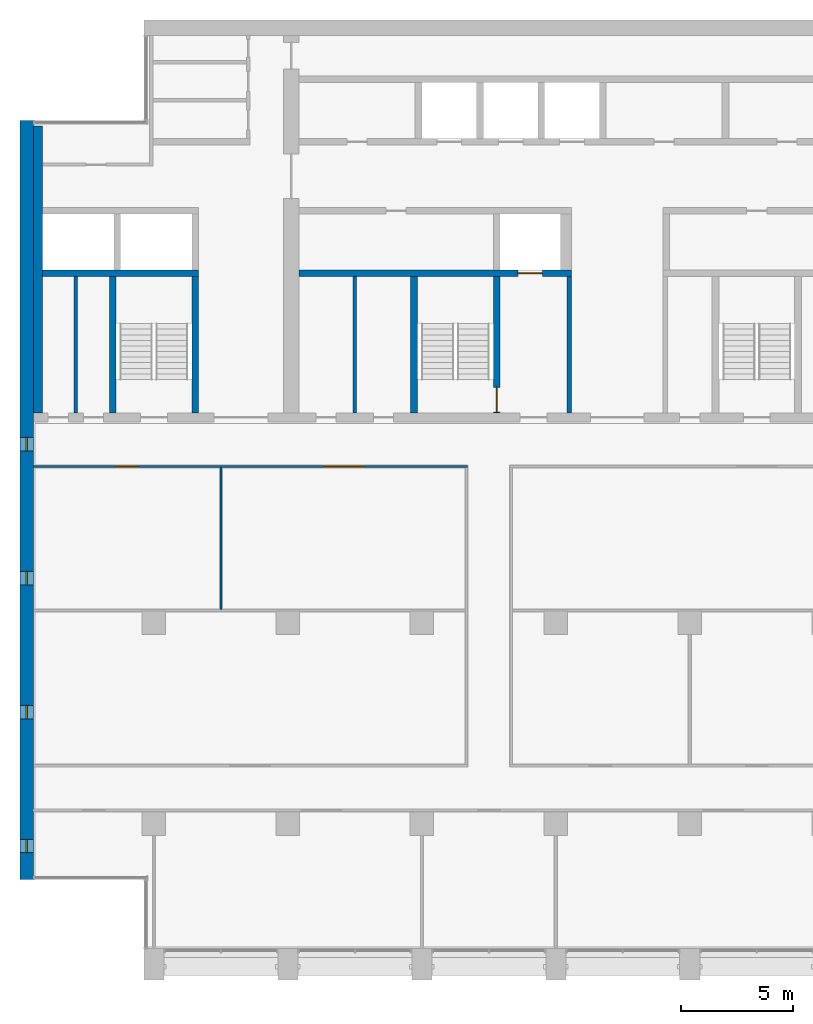
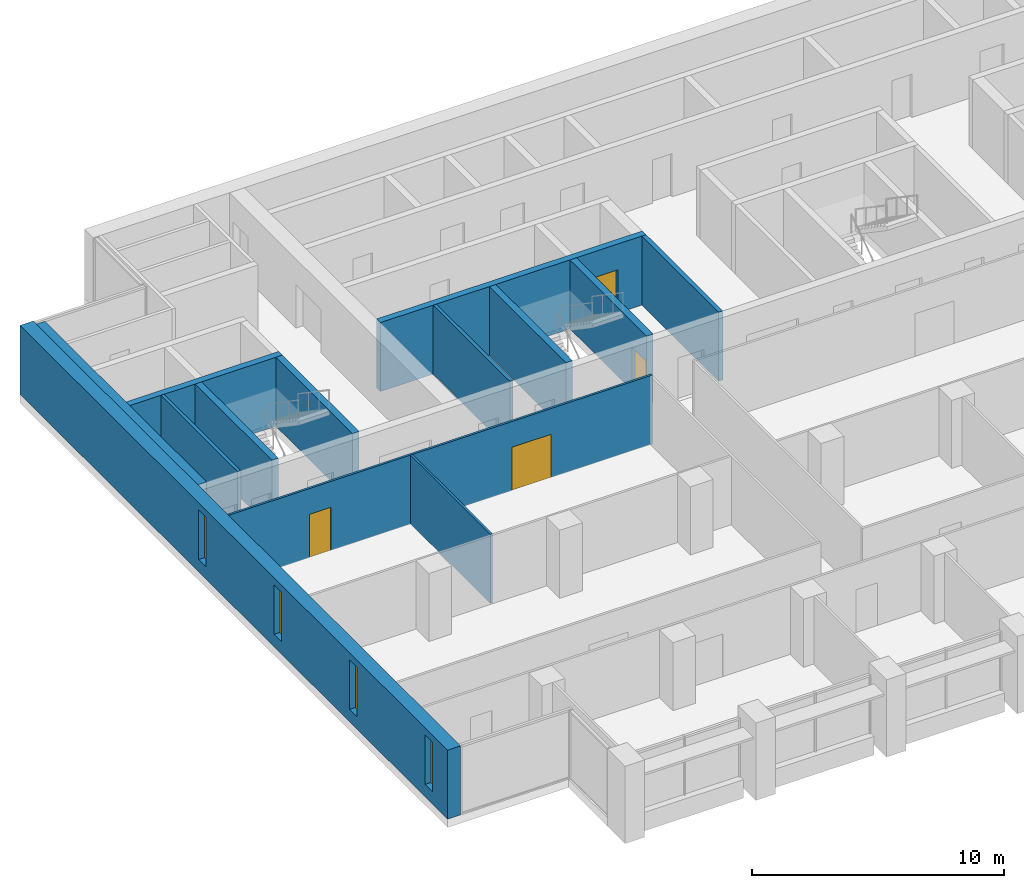
# One storey, part 8 of 17: 13 walls, 4 doors, 4 windows, 8 openings.
"""IFC4 building model written with IfcOpenShell, lengths in metres."""

import ifcopenshell
import ifcopenshell.guid

model = None  # the IFC model being written
_history = None  # IfcOwnerHistory: only IFC2X3 demands one
_inside = {}  # id of a spatial element -> (the spatial element, [elements in it])
_under = {}  # id of a project, library or spatial element -> (it, [spatial elements below it])
_declared = {}  # id of a project -> (the project, [libraries it declares])
_typed = {}  # id of a type object -> (the type object, [elements of that type])
_made_of = {}  # id of a material, layer set ... -> (it, [elements and type objects made of it])


def new_model(schema):
    """Start an empty IFC model of exactly this schema.

    Asked for "IFC4X3", IfcOpenShell would pick the latest addendum, in which some entities
    have other attributes; the version numbers below select the first issue.
    IFC2X3 requires an IfcOwnerHistory on every rooted entity: one is made here for all.
    """
    global model, _history
    if schema == "IFC4X3":
        model = ifcopenshell.file(schema_version=(4, 3, 0, 0))
    else:
        model = ifcopenshell.file(schema=schema)
    _inside.clear()
    _under.clear()
    _declared.clear()
    _typed.clear()
    _made_of.clear()
    _history = None
    if model.schema == "IFC2X3":
        org = make("IfcOrganization", Name="unknown")
        user = make(
            "IfcPersonAndOrganization",
            ThePerson=make("IfcPerson", FamilyName="unknown"),
            TheOrganization=org,
        )
        app = make(
            "IfcApplication",
            ApplicationDeveloper=org,
            Version="unknown",
            ApplicationFullName="unknown",
            ApplicationIdentifier="unknown",
        )
        _history = make(
            "IfcOwnerHistory",
            OwningUser=user,
            OwningApplication=app,
            ChangeAction="ADDED",
            CreationDate=0,
        )
    return model


def make(cls, **values):
    """One entity of the class cls with the attributes given. An attribute that is None is left unset."""
    return model.create_entity(
        cls, **{name: value for name, value in values.items() if value is not None}
    )


def rooted(cls, **values):
    """An entity with a GlobalId (a new one), such as an element, a storey or a relation."""
    return make(cls, GlobalId=ifcopenshell.guid.new(), OwnerHistory=_history, **values)


def si_unit(unit_type, name, prefix=None):
    """IfcSIUnit, for example si_unit("LENGTHUNIT", "METRE", prefix="MILLI")."""
    return make("IfcSIUnit", UnitType=unit_type, Prefix=prefix, Name=name)


def assignment(units):
    """IfcUnitAssignment: the units of a project."""
    return None if units is None else make("IfcUnitAssignment", Units=units)


def point(xyz):
    """IfcCartesianPoint."""
    return None if xyz is None else make("IfcCartesianPoint", Coordinates=xyz)


def direction(xyz):
    """IfcDirection."""
    return None if xyz is None else make("IfcDirection", DirectionRatios=xyz)


def frame(location, z_axis=None, x_axis=None):
    """IfcAxis2Placement3D, a coordinate frame: its origin and axes. An axis left out is left unset."""
    return make(
        "IfcAxis2Placement3D",
        Location=point(location),
        Axis=direction(z_axis),
        RefDirection=direction(x_axis),
    )


def frame_2d(location, x_axis=None):
    """IfcAxis2Placement2D, a coordinate frame in the plane: its origin and x axis."""
    return make(
        "IfcAxis2Placement2D", Location=point(location), RefDirection=direction(x_axis)
    )


def origin():
    """The frame at (0, 0, 0) with its axes left unset."""
    return frame((0.0, 0.0, 0.0))


def place(relative_to, where):
    """IfcLocalPlacement: puts the frame where relative to a parent placement (None: the world)."""
    return make(
        "IfcLocalPlacement", PlacementRelTo=relative_to, RelativePlacement=where
    )


def context(
    kind, dimensions, precision=None, world=None, true_north=None, identifier=None
):
    """IfcGeometricRepresentationContext, for example the 3D "Model" context."""
    return make(
        "IfcGeometricRepresentationContext",
        ContextIdentifier=identifier,
        ContextType=kind,
        CoordinateSpaceDimension=dimensions,
        Precision=precision,
        WorldCoordinateSystem=world,
        TrueNorth=true_north,
    )


def subcontext(parent, identifier, kind, view, scale=None):
    """IfcGeometricRepresentationSubContext, for example "Body" below "Model"."""
    return make(
        "IfcGeometricRepresentationSubContext",
        ContextIdentifier=identifier,
        ContextType=kind,
        ParentContext=parent,
        TargetScale=scale,
        TargetView=view,
    )


def project(units=None, contexts=None):
    """IfcProject with its units and contexts."""
    return rooted(
        "IfcProject",
        Name="project",
        RepresentationContexts=contexts,
        UnitsInContext=assignment(units),
    )


def spatial(cls, under=None, at=None, **own):
    """A site, building, storey or space (cls), placed at a placement, below another one or the project."""
    s = rooted(cls, ObjectPlacement=at, **own)
    if under is not None:
        _under.setdefault(under.id(), (under, []))[1].append(s)
    return s


def profile(cls, at=None, kind="AREA", **sizes):
    """A parametric profile (cls). Its sizes go by their IFC names, for example OverallWidth=200.0."""
    return make(cls, ProfileType=kind, Position=at, **sizes)


def rectangle(**sizes):
    """IfcRectangleProfileDef."""
    return profile("IfcRectangleProfileDef", **sizes)


def extrude(swept, where, along, depth):
    """IfcExtrudedAreaSolid: the profile swept, set in the frame where, extruded along a direction by depth."""
    return make(
        "IfcExtrudedAreaSolid",
        SweptArea=swept,
        Position=where,
        ExtrudedDirection=direction(along),
        Depth=depth,
    )


def shape(context_of_items, identifier, shape_type, items):
    """IfcShapeRepresentation: the items that make up one representation, for example the "Body"."""
    return make(
        "IfcShapeRepresentation",
        ContextOfItems=context_of_items,
        RepresentationIdentifier=identifier,
        RepresentationType=shape_type,
        Items=items,
    )


def material(Name=None, Category=None):
    """IfcMaterial."""
    return make("IfcMaterial", Name=Name, Category=Category)


def layer(
    of_material, thickness, ventilated=None, Name=None, Category=None, Priority=None
):
    """IfcMaterialLayer: one layer of a wall or slab, of a material (None: an air gap)."""
    return make(
        "IfcMaterialLayer",
        Material=of_material,
        LayerThickness=thickness,
        IsVentilated=ventilated,
        Name=Name,
        Category=Category,
        Priority=Priority,
    )


def layer_set(layers, Name=None):
    """IfcMaterialLayerSet."""
    return make("IfcMaterialLayerSet", MaterialLayers=layers, LayerSetName=Name)


def made_of(thing, what):
    """Note that an element or type object is made of a material, layer set ...; save() writes the relation."""
    if what is not None:
        _made_of.setdefault(what.id(), (what, []))[1].append(thing)
    return thing


def type_object(cls, material=None, **own):
    """A type object (cls), such as IfcWallType, which elements share."""
    return made_of(rooted(cls, **own), material)


def element(
    cls,
    number,
    at=None,
    inside=None,
    cuts=None,
    type_object=None,
    material=None,
    context=None,
    identifier="Body",
    shape_type=None,
    held_by="IfcProductDefinitionShape",
    body=None,
    shapes=None,
    **own,
):
    """One element of the class cls, such as IfcWall. Its Tag is "e" and its number.

    at: its placement. inside: the storey or other place that contains it. cuts: it is an
    opening in that element (IfcRelVoidsElement). A single representation is given by context,
    identifier, shape_type and body (its items); several are given by shapes. held_by: the class
    of the entity that holds the representations. save() writes the other relations.
    """
    e = rooted(cls, Tag="e%d" % number, ObjectPlacement=at, **own)
    if body is not None:
        shapes = [shape(context, identifier, shape_type, body)]
    if shapes is not None:
        e.Representation = make(held_by, Representations=shapes)
    if inside is not None:
        _inside.setdefault(inside.id(), (inside, []))[1].append(e)
    if cuts is not None:
        rooted(
            "IfcRelVoidsElement", RelatingBuildingElement=cuts, RelatedOpeningElement=e
        )
    if type_object is not None:
        _typed.setdefault(type_object.id(), (type_object, []))[1].append(e)
    return made_of(e, material)


def fill(opening, filler):
    """IfcRelFillsElement: the door or window that sits in an opening."""
    return rooted(
        "IfcRelFillsElement",
        RelatingOpeningElement=opening,
        RelatedBuildingElement=filler,
    )


def aggregate(whole, parts):
    """IfcRelAggregates: a whole, such as a stair, and the parts it consists of."""
    return rooted("IfcRelAggregates", RelatingObject=whole, RelatedObjects=parts)


def save(model, path):
    """Write the relations noted so far, then the file.

    IfcRelAggregates (storeys below a building ...), IfcRelContainedInSpatialStructure (elements
    in a storey), IfcRelDefinesByType, IfcRelAssociatesMaterial and IfcRelDeclares: one each for
    every whole, place, type object, material and project.
    """
    for whole, parts in _under.values():
        aggregate(whole, parts)
    for where, things in _inside.values():
        rooted(
            "IfcRelContainedInSpatialStructure",
            RelatedElements=things,
            RelatingStructure=where,
        )
    for kind, things in _typed.values():
        rooted("IfcRelDefinesByType", RelatedObjects=things, RelatingType=kind)
    for what, things in _made_of.values():
        rooted("IfcRelAssociatesMaterial", RelatedObjects=things, RelatingMaterial=what)
    for by, libraries in _declared.values():
        rooted("IfcRelDeclares", RelatingContext=by, RelatedDefinitions=libraries)
    model.write(path)


model = new_model("IFC4")

# Units and contexts
model_context = context("Model", 3, precision=1e-05, world=origin(), true_north=direction((0.0, 1.0)))
body_context = subcontext(model_context, "Body", "Model", "MODEL_VIEW")
ifc_project = project(units=[si_unit("LENGTHUNIT", "METRE"), si_unit("AREAUNIT", "SQUARE_METRE"), si_unit("VOLUMEUNIT", "CUBIC_METRE"), si_unit("PLANEANGLEUNIT", "RADIAN"), si_unit("MASSUNIT", "GRAM", prefix="KILO")], contexts=[model_context])

# Site, building, storey
site_placement = place(None, origin())
site = spatial("IfcSite", under=ifc_project, at=site_placement, CompositionType="ELEMENT")
building_placement = place(site_placement, origin())
building = spatial("IfcBuilding", under=site, at=building_placement, Name="Calvaro Tower", CompositionType="ELEMENT")
storey_placement = place(building_placement, frame((0.0, 0.0, 204.25)))
storey = spatial("IfcBuildingStorey", under=building, at=storey_placement, Name="L51", CompositionType="ELEMENT", Elevation=204.25)

# Walls
ifc_material_1 = material(Name="Blockwork partition", Category="masonry")
ifc_layer_1 = layer(ifc_material_1, 0.14990234375)
ifc_layer_set_1 = layer_set([ifc_layer_1], Name="Blockwork partition")
wall_type_1 = type_object("IfcWallType", Name="Core partition 150 EI 60", PredefinedType="PARTITIONING", material=ifc_layer_set_1)
wall_1_placement = place(storey_placement, frame((21.0, 28.39990234375, 0.0), z_axis=(0.0, 0.0, 1.0), x_axis=(0.0, 1.0, 0.0)))
element("IfcWall", 1, at=wall_1_placement, inside=storey, type_object=wall_type_1, Name="Core partition", PredefinedType="PARTITIONING", context=body_context, shape_type="SweptSolid", body=[
    extrude(rectangle(XDim=6.10009765625, YDim=0.14990234375, at=frame_2d((3.050048828125, 0.0))), origin(), (0.0, 0.0, 1.0), 3.35009765625),
])
ifc_material_2 = material(Name="Blockwork partition", Category="masonry")
ifc_layer_2 = layer(ifc_material_2, 0.14990234375)
ifc_layer_set_2 = layer_set([ifc_layer_2], Name="Blockwork partition")
wall_type_2 = type_object("IfcWallType", Name="Core partition 150 REI 120", PredefinedType="PARTITIONING", material=ifc_layer_set_2)
wall_2_placement = place(storey_placement, frame((8.5, 28.39990234375, 0.0), z_axis=(0.0, 0.0, 1.0), x_axis=(0.0, 1.0, 0.0)))
element("IfcWall", 2, at=wall_2_placement, inside=storey, type_object=wall_type_2, Name="Core partition", PredefinedType="PARTITIONING", context=body_context, shape_type="SweptSolid", body=[
    extrude(rectangle(XDim=6.10009765625, YDim=0.14990234375, at=frame_2d((3.050048828125, 0.0))), origin(), (0.0, 0.0, 1.0), 3.35009765625),
])
ifc_material_3 = material(Name="Blockwork partition", Category="masonry")
ifc_layer_3 = layer(ifc_material_3, 0.199951171875)
ifc_layer_set_3 = layer_set([ifc_layer_3], Name="Blockwork partition")
wall_type_3 = type_object("IfcWallType", Name="Core partition 200 REI 120", PredefinedType="PARTITIONING", material=ifc_layer_set_3)
wall_3_placement = place(storey_placement, frame((30.60009765625, 28.39990234375, 0.0), z_axis=(0.0, 0.0, 1.0), x_axis=(0.0, 1.0, 0.0)))
element("IfcWall", 3, at=wall_3_placement, inside=storey, type_object=wall_type_3, Name="Core partition", PredefinedType="PARTITIONING", context=body_context, shape_type="SweptSolid", body=[
    extrude(rectangle(XDim=6.10009765625, YDim=0.199951171875, at=frame_2d((3.050048828125, 0.0))), origin(), (0.0, 0.0, 1.0), 3.35009765625),
])
ifc_material_4 = material(Name="Concrete C50/60", Category="concrete")
ifc_layer_4 = layer(ifc_material_4, 0.300048828125)
ifc_layer_set_4 = layer_set([ifc_layer_4], Name="Concrete C50/60")
wall_type_4 = type_object("IfcWallType", Name="Core wall C50/60 300", PredefinedType="SHEAR", material=ifc_layer_set_4)
for number, where, z_axis, x_axis, name in (
    (4, (10.14990234375, 28.39990234375, 0.0), (0.0, 0.0, 1.0), (0.0, 1.0, 0.0), "Core wall, stair enclosure"),
    (5, (13.85009765625, 28.39990234375, 0.0), (0.0, 0.0, 1.0), (0.0, 1.0, 0.0), "Core wall, stair enclosure"),
    (6, (23.64990234375, 28.39990234375, 0.0), (0.0, 0.0, 1.0), (0.0, 1.0, 0.0), "Core wall, stair enclosure"),
):
    element("IfcWall", number, at=place(storey_placement, frame(where, z_axis=z_axis, x_axis=x_axis)), inside=storey, type_object=wall_type_4, Name=name, PredefinedType="SHEAR", context=body_context, shape_type="SweptSolid", body=[
        extrude(rectangle(XDim=6.10009765625, YDim=0.300048828125, at=frame_2d((3.050048828125, 0.0))), origin(), (0.0, 0.0, 1.0), 3.35009765625),
    ])

# Wall, opening, door
wall_4_placement = place(storey_placement, frame((27.35009765625, 28.39990234375, 0.0), z_axis=(0.0, 0.0, 1.0), x_axis=(0.0, 1.0, 0.0)))
wall_4 = element("IfcWall", 7, at=wall_4_placement, inside=storey, type_object=wall_type_4, Name="Core wall, stair enclosure", PredefinedType="SHEAR", context=body_context, shape_type="SweptSolid", body=[
    extrude(rectangle(XDim=6.10009765625, YDim=0.300048828125, at=frame_2d((3.050048828125, 0.0))), origin(), (0.0, 0.0, 1.0), 3.35009765625),
])
opening_1_placement = place(wall_4_placement, frame((0.050048828125, 0.0, 0.0)))
opening_1 = element("IfcOpeningElement", 8, at=opening_1_placement, cuts=wall_4, Name="Opening FD11D", PredefinedType="OPENING", context=body_context, shape_type="SweptSolid", body=[
    extrude(rectangle(XDim=1.10009765625, YDim=2.10009765625, at=frame_2d((0.550048828125, 1.050048828125))), frame((0.0, 0.159912109375, 0.0), z_axis=(0.0, -1.0, 0.0), x_axis=(1.0, 0.0, 0.0)), (0.0, 0.0, 1.0), 0.320068359375),
])
ifc_material_5 = material(Name="Steel door set", Category="steel")
door_type_1 = type_object("IfcDoorType", Name="Fire door 1100 FD30S", OperationType="SINGLE_SWING_LEFT", PredefinedType="DOOR", material=ifc_material_5)
door_1_placement = place(opening_1_placement, origin())
door_1 = element("IfcDoor", 9, at=door_1_placement, inside=storey, type_object=door_type_1, Name="Fire door", OperationType="SINGLE_SWING_LEFT", OverallHeight=2.10009765625, OverallWidth=1.10009765625, PredefinedType="DOOR", context=body_context, shape_type="SweptSolid", body=[
    extrude(rectangle(XDim=1.10009765625, YDim=2.10009765625, at=frame_2d((0.550048828125, 1.050048828125))), frame((0.0, 0.02490234375, 0.0), z_axis=(0.0, -1.0, 0.0), x_axis=(1.0, 0.0, 0.0)), (0.0, 0.0, 1.0), 0.050048828125),
])
fill(opening_1, door_1)

# Wall
wall_5_placement = place(storey_placement, frame((7.0, 34.64990234375, 0.0), z_axis=(0.0, 0.0, 1.0), x_axis=(1.0, 0.0, 0.0)))
element("IfcWall", 10, at=wall_5_placement, inside=storey, type_object=wall_type_4, Name="Core wall, lift shaft", PredefinedType="SHEAR", context=body_context, shape_type="SweptSolid", body=[
    extrude(rectangle(XDim=7.0, YDim=0.300048828125, at=frame_2d((3.5, 0.0))), origin(), (0.0, 0.0, 1.0), 3.35009765625),
])

# Wall, opening, door
wall_6_placement = place(storey_placement, frame((18.5, 34.64990234375, 0.0), z_axis=(0.0, 0.0, 1.0), x_axis=(1.0, 0.0, 0.0)))
wall_6 = element("IfcWall", 11, at=wall_6_placement, inside=storey, type_object=wall_type_4, Name="Core wall, lift shaft", PredefinedType="SHEAR", context=body_context, shape_type="SweptSolid", body=[
    extrude(rectangle(XDim=12.199951171875, YDim=0.300048828125, at=frame_2d((6.10009765625, 0.0))), origin(), (0.0, 0.0, 1.0), 3.35009765625),
])
opening_2_placement = place(wall_6_placement, frame((9.800048828125, 0.0, 0.0)))
opening_2 = element("IfcOpeningElement", 12, at=opening_2_placement, cuts=wall_6, Name="Opening FF1", PredefinedType="OPENING", context=body_context, shape_type="SweptSolid", body=[
    extrude(rectangle(XDim=1.10009765625, YDim=2.10009765625, at=frame_2d((0.550048828125, 1.050048828125))), frame((0.0, 0.159912109375, 0.0), z_axis=(0.0, -1.0, 0.0), x_axis=(1.0, 0.0, 0.0)), (0.0, 0.0, 1.0), 0.320068359375),
])
ifc_material_6 = material(Name="Stainless steel", Category="steel")
door_type_2 = type_object("IfcDoorType", Name="Landing door 1100 E 60", OperationType="SLIDING_TO_LEFT", PredefinedType="DOOR", material=ifc_material_6)
door_2_placement = place(opening_2_placement, origin())
door_2 = element("IfcDoor", 13, at=door_2_placement, inside=storey, type_object=door_type_2, Name="Landing door FF1", OperationType="SLIDING_TO_LEFT", OverallHeight=2.10009765625, OverallWidth=1.10009765625, PredefinedType="DOOR", context=body_context, shape_type="SweptSolid", body=[
    extrude(rectangle(XDim=1.10009765625, YDim=2.10009765625, at=frame_2d((0.550048828125, 1.050048828125))), frame((0.0, 0.02490234375, 0.0), z_axis=(0.0, -1.0, 0.0), x_axis=(1.0, 0.0, 0.0)), (0.0, 0.0, 1.0), 0.050048828125),
])
fill(opening_2, door_2)

# Wall
ifc_material_7 = material(Name="Concrete C50/60", Category="concrete")
ifc_layer_5 = layer(ifc_material_7, 0.39990234375)
ifc_layer_set_5 = layer_set([ifc_layer_5], Name="Concrete C50/60")
wall_type_5 = type_object("IfcWallType", Name="Core wall C50/60 400", PredefinedType="SHEAR", material=ifc_layer_set_5)
wall_7_placement = place(storey_placement, frame((6.800048828125, 28.39990234375, 0.0), z_axis=(0.0, 0.0, 1.0), x_axis=(0.0, 1.0, 0.0)))
element("IfcWall", 14, at=wall_7_placement, inside=storey, type_object=wall_type_5, Name="Core wall, boundary", PredefinedType="SHEAR", context=body_context, shape_type="SweptSolid", body=[
    extrude(rectangle(XDim=12.85009765625, YDim=0.39990234375, at=frame_2d((6.425048828125, 0.0))), origin(), (0.0, 0.0, 1.0), 3.35009765625),
])

# Wall, openings, windows
ifc_material_8 = material(Name="Concrete C50/60", Category="concrete")
ifc_layer_6 = layer(ifc_material_8, 0.60009765625)
ifc_layer_set_6 = layer_set([ifc_layer_6], Name="Concrete C50/60")
wall_type_6 = type_object("IfcWallType", Name="End wall 600 C50/60", PredefinedType="SHEAR", material=ifc_layer_set_6)
wall_8_placement = place(storey_placement, frame((6.300048828125, 7.5, 0.0), z_axis=(0.0, 0.0, 1.0), x_axis=(0.0, 1.0, 0.0)))
wall_8 = element("IfcWall", 15, at=wall_8_placement, inside=storey, type_object=wall_type_6, Name="End shear wall", PredefinedType="SHEAR", context=body_context, shape_type="SweptSolid", body=[
    extrude(rectangle(XDim=34.0, YDim=0.60009765625, at=frame_2d((17.0, 0.0))), origin(), (0.0, 0.0, 1.0), 3.35009765625),
])
opening_3_placement = place(wall_8_placement, frame((1.199951171875, 0.0, 0.60009765625)))
opening_3 = element("IfcOpeningElement", 16, at=opening_3_placement, cuts=wall_8, Name="Opening WW01", PredefinedType="OPENING", context=body_context, shape_type="SweptSolid", body=[
    extrude(rectangle(XDim=0.60009765625, YDim=2.39990234375, at=frame_2d((0.300048828125, 1.199951171875))), frame((0.0, 0.31005859375, 0.0), z_axis=(0.0, -1.0, 0.0), x_axis=(1.0, 0.0, 0.0)), (0.0, 0.0, 1.0), 0.6201171875),
])
opening_4_placement = place(wall_8_placement, frame((7.199951171875, 0.0, 0.60009765625)))
opening_4 = element("IfcOpeningElement", 17, at=opening_4_placement, cuts=wall_8, Name="Opening WW02", PredefinedType="OPENING", context=body_context, shape_type="SweptSolid", body=[
    extrude(rectangle(XDim=0.60009765625, YDim=2.39990234375, at=frame_2d((0.300048828125, 1.199951171875))), frame((0.0, 0.31005859375, 0.0), z_axis=(0.0, -1.0, 0.0), x_axis=(1.0, 0.0, 0.0)), (0.0, 0.0, 1.0), 0.6201171875),
])
opening_5_placement = place(wall_8_placement, frame((13.199951171875, 0.0, 0.60009765625)))
opening_5 = element("IfcOpeningElement", 18, at=opening_5_placement, cuts=wall_8, Name="Opening WW03", PredefinedType="OPENING", context=body_context, shape_type="SweptSolid", body=[
    extrude(rectangle(XDim=0.60009765625, YDim=2.39990234375, at=frame_2d((0.300048828125, 1.199951171875))), frame((0.0, 0.31005859375, 0.0), z_axis=(0.0, -1.0, 0.0), x_axis=(1.0, 0.0, 0.0)), (0.0, 0.0, 1.0), 0.6201171875),
])
opening_6_placement = place(wall_8_placement, frame((19.199951171875, 0.0, 0.60009765625)))
opening_6 = element("IfcOpeningElement", 19, at=opening_6_placement, cuts=wall_8, Name="Opening WW04", PredefinedType="OPENING", context=body_context, shape_type="SweptSolid", body=[
    extrude(rectangle(XDim=0.60009765625, YDim=2.39990234375, at=frame_2d((0.300048828125, 1.199951171875))), frame((0.0, 0.31005859375, 0.0), z_axis=(0.0, -1.0, 0.0), x_axis=(1.0, 0.0, 0.0)), (0.0, 0.0, 1.0), 0.6201171875),
])
ifc_material_9 = material(Name="Glass", Category="glass")
window_type = type_object("IfcWindowType", Name="Slit window 600 x 2400", PartitioningType="SINGLE_PANEL", PredefinedType="WINDOW", material=ifc_material_9)
window_1_placement = place(opening_3_placement, origin())
window_1 = element("IfcWindow", 20, at=window_1_placement, inside=storey, type_object=window_type, Name="Window WW01", OverallHeight=2.39990234375, OverallWidth=0.60009765625, PartitioningType="SINGLE_PANEL", PredefinedType="WINDOW", context=body_context, shape_type="SweptSolid", body=[
    extrude(rectangle(XDim=0.60009765625, YDim=2.39990234375, at=frame_2d((0.300048828125, 1.199951171875))), frame((0.0, 0.030029296875, 0.0), z_axis=(0.0, -1.0, 0.0), x_axis=(1.0, 0.0, 0.0)), (0.0, 0.0, 1.0), 0.06005859375),
])
fill(opening_3, window_1)
window_2_placement = place(opening_4_placement, origin())
window_2 = element("IfcWindow", 21, at=window_2_placement, inside=storey, type_object=window_type, Name="Window WW02", OverallHeight=2.39990234375, OverallWidth=0.60009765625, PartitioningType="SINGLE_PANEL", PredefinedType="WINDOW", context=body_context, shape_type="SweptSolid", body=[
    extrude(rectangle(XDim=0.60009765625, YDim=2.39990234375, at=frame_2d((0.300048828125, 1.199951171875))), frame((0.0, 0.030029296875, 0.0), z_axis=(0.0, -1.0, 0.0), x_axis=(1.0, 0.0, 0.0)), (0.0, 0.0, 1.0), 0.06005859375),
])
fill(opening_4, window_2)
window_3_placement = place(opening_5_placement, origin())
window_3 = element("IfcWindow", 22, at=window_3_placement, inside=storey, type_object=window_type, Name="Window WW03", OverallHeight=2.39990234375, OverallWidth=0.60009765625, PartitioningType="SINGLE_PANEL", PredefinedType="WINDOW", context=body_context, shape_type="SweptSolid", body=[
    extrude(rectangle(XDim=0.60009765625, YDim=2.39990234375, at=frame_2d((0.300048828125, 1.199951171875))), frame((0.0, 0.030029296875, 0.0), z_axis=(0.0, -1.0, 0.0), x_axis=(1.0, 0.0, 0.0)), (0.0, 0.0, 1.0), 0.06005859375),
])
fill(opening_5, window_3)
window_4_placement = place(opening_6_placement, origin())
window_4 = element("IfcWindow", 23, at=window_4_placement, inside=storey, type_object=window_type, Name="Window WW04", OverallHeight=2.39990234375, OverallWidth=0.60009765625, PartitioningType="SINGLE_PANEL", PredefinedType="WINDOW", context=body_context, shape_type="SweptSolid", body=[
    extrude(rectangle(XDim=0.60009765625, YDim=2.39990234375, at=frame_2d((0.300048828125, 1.199951171875))), frame((0.0, 0.030029296875, 0.0), z_axis=(0.0, -1.0, 0.0), x_axis=(1.0, 0.0, 0.0)), (0.0, 0.0, 1.0), 0.06005859375),
])
fill(opening_6, window_4)

# Wall, openings, doors
ifc_material_10 = material(Name="Plasterboard on steel studs", Category="steel")
ifc_layer_7 = layer(ifc_material_10, 0.10009765625)
ifc_layer_set_7 = layer_set([ifc_layer_7], Name="Plasterboard on steel studs")
wall_type_7 = type_object("IfcWallType", Name="Partition 100", PredefinedType="PARTITIONING", material=ifc_layer_set_7)
wall_9_placement = place(storey_placement, frame((6.60009765625, 26.0, 0.0), z_axis=(0.0, 0.0, 1.0), x_axis=(1.0, 0.0, 0.0)))
wall_9 = element("IfcWall", 24, at=wall_9_placement, inside=storey, type_object=wall_type_7, Name="Partition T29.W008", PredefinedType="PARTITIONING", context=body_context, shape_type="SweptSolid", body=[
    extrude(rectangle(XDim=19.449951171875, YDim=0.10009765625, at=frame_2d((9.72509765625, 0.0))), origin(), (0.0, 0.0, 1.0), 3.35009765625),
])
opening_7_placement = place(wall_9_placement, frame((3.699951171875, 0.0, 0.0)))
opening_7 = element("IfcOpeningElement", 25, at=opening_7_placement, cuts=wall_9, Name="Opening T29.014", PredefinedType="OPENING", context=body_context, shape_type="SweptSolid", body=[
    extrude(rectangle(XDim=1.0, YDim=2.10009765625, at=frame_2d((0.5, 1.050048828125))), frame((0.0, 0.06005859375, 0.0), z_axis=(0.0, -1.0, 0.0), x_axis=(1.0, 0.0, 0.0)), (0.0, 0.0, 1.0), 0.1201171875),
])
opening_8_placement = place(wall_9_placement, frame((13.0, 0.0, 0.0)))
opening_8 = element("IfcOpeningElement", 26, at=opening_8_placement, cuts=wall_9, Name="Opening T29.015", PredefinedType="OPENING", context=body_context, shape_type="SweptSolid", body=[
    extrude(rectangle(XDim=1.800048828125, YDim=2.10009765625, at=frame_2d((0.89990234375, 1.050048828125))), frame((0.0, 0.06005859375, 0.0), z_axis=(0.0, -1.0, 0.0), x_axis=(1.0, 0.0, 0.0)), (0.0, 0.0, 1.0), 0.1201171875),
])
ifc_material_11 = material(Name="Timber", Category="wood")
door_type_3 = type_object("IfcDoorType", Name="Internal double door 1800 x 2100", OperationType="DOUBLE_DOOR_SINGLE_SWING", PredefinedType="DOOR", material=ifc_material_11)
door_3_placement = place(opening_8_placement, origin())
door_3 = element("IfcDoor", 27, at=door_3_placement, inside=storey, type_object=door_type_3, Name="Door T29.015", OperationType="DOUBLE_DOOR_SINGLE_SWING", OverallHeight=2.10009765625, OverallWidth=1.800048828125, PredefinedType="DOOR", context=body_context, shape_type="SweptSolid", body=[
    extrude(rectangle(XDim=1.800048828125, YDim=2.10009765625, at=frame_2d((0.89990234375, 1.050048828125))), frame((0.0, 0.02490234375, 0.0), z_axis=(0.0, -1.0, 0.0), x_axis=(1.0, 0.0, 0.0)), (0.0, 0.0, 1.0), 0.050048828125),
])
fill(opening_8, door_3)
ifc_material_12 = material(Name="Timber", Category="wood")
door_type_4 = type_object("IfcDoorType", Name="Internal single door 1000 x 2100", OperationType="SINGLE_SWING_LEFT", PredefinedType="DOOR", material=ifc_material_12)
door_4_placement = place(opening_7_placement, origin())
door_4 = element("IfcDoor", 28, at=door_4_placement, inside=storey, type_object=door_type_4, Name="Door T29.014", OperationType="SINGLE_SWING_LEFT", OverallHeight=2.10009765625, OverallWidth=1.0, PredefinedType="DOOR", context=body_context, shape_type="SweptSolid", body=[
    extrude(rectangle(XDim=1.0, YDim=2.10009765625, at=frame_2d((0.5, 1.050048828125))), frame((0.0, 0.02490234375, 0.0), z_axis=(0.0, -1.0, 0.0), x_axis=(1.0, 0.0, 0.0)), (0.0, 0.0, 1.0), 0.050048828125),
])
fill(opening_7, door_4)

# Wall
wall_10_placement = place(storey_placement, frame((15.0, 19.60009765625, 0.0), z_axis=(0.0, 0.0, 1.0), x_axis=(0.0, 1.0, 0.0)))
element("IfcWall", 29, at=wall_10_placement, inside=storey, type_object=wall_type_7, Name="Partition T29.W013", PredefinedType="PARTITIONING", context=body_context, shape_type="SweptSolid", body=[
    extrude(rectangle(XDim=6.349853515625, YDim=0.10009765625, at=frame_2d((3.1748046875, 0.0))), origin(), (0.0, 0.0, 1.0), 3.35009765625),
])

save(model, "model.ifc")
